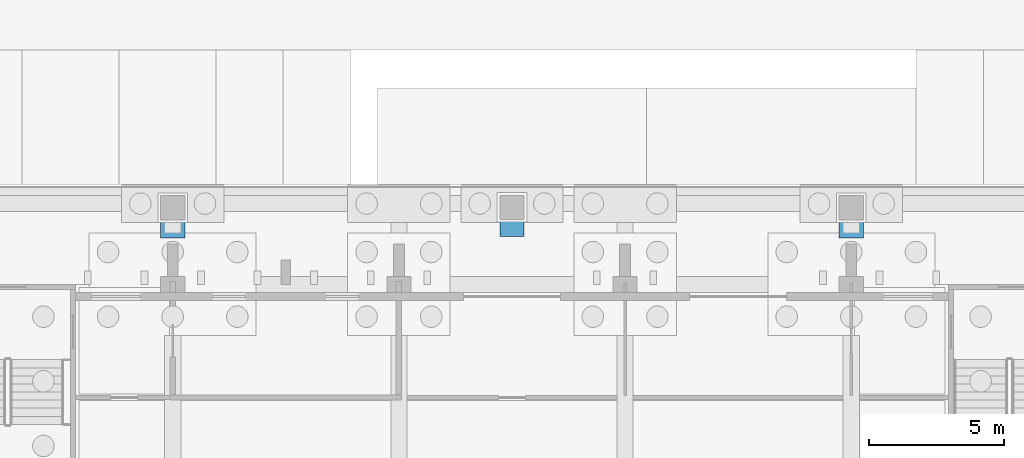
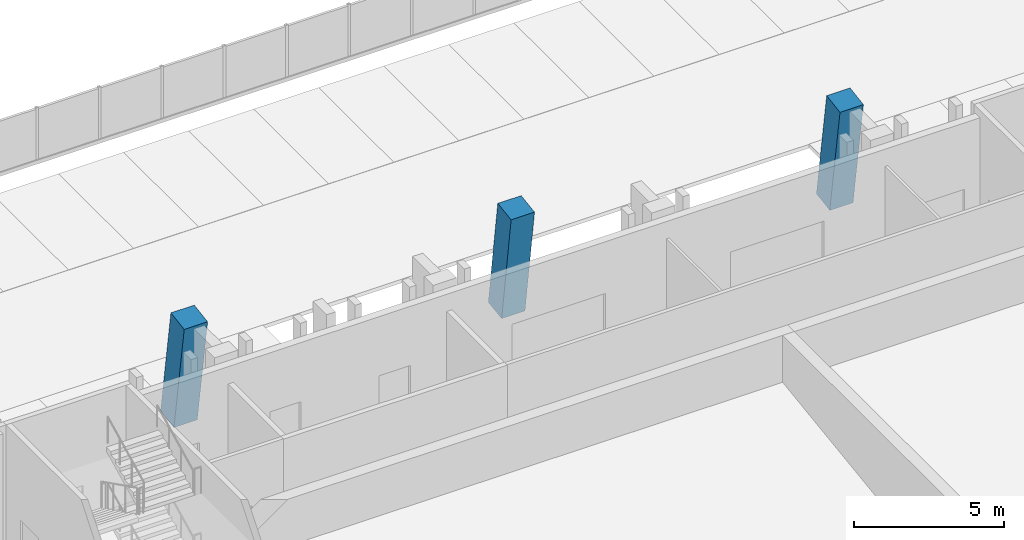
# One storey, part 25 of 129: 3 members.
"""IFC4 building model written with IfcOpenShell, lengths in metres."""

import ifcopenshell
import ifcopenshell.guid

model = None  # the IFC model being written
_history = None  # IfcOwnerHistory: only IFC2X3 demands one
_inside = {}  # id of a spatial element -> (the spatial element, [elements in it])
_under = {}  # id of a project, library or spatial element -> (it, [spatial elements below it])
_declared = {}  # id of a project -> (the project, [libraries it declares])
_typed = {}  # id of a type object -> (the type object, [elements of that type])
_made_of = {}  # id of a material, layer set ... -> (it, [elements and type objects made of it])


def new_model(schema):
    """Start an empty IFC model of exactly this schema.

    Asked for "IFC4X3", IfcOpenShell would pick the latest addendum, in which some entities
    have other attributes; the version numbers below select the first issue.
    IFC2X3 requires an IfcOwnerHistory on every rooted entity: one is made here for all.
    """
    global model, _history
    if schema == "IFC4X3":
        model = ifcopenshell.file(schema_version=(4, 3, 0, 0))
    else:
        model = ifcopenshell.file(schema=schema)
    _inside.clear()
    _under.clear()
    _declared.clear()
    _typed.clear()
    _made_of.clear()
    _history = None
    if model.schema == "IFC2X3":
        org = make("IfcOrganization", Name="unknown")
        user = make(
            "IfcPersonAndOrganization",
            ThePerson=make("IfcPerson", FamilyName="unknown"),
            TheOrganization=org,
        )
        app = make(
            "IfcApplication",
            ApplicationDeveloper=org,
            Version="unknown",
            ApplicationFullName="unknown",
            ApplicationIdentifier="unknown",
        )
        _history = make(
            "IfcOwnerHistory",
            OwningUser=user,
            OwningApplication=app,
            ChangeAction="ADDED",
            CreationDate=0,
        )
    return model


def make(cls, **values):
    """One entity of the class cls with the attributes given. An attribute that is None is left unset."""
    return model.create_entity(
        cls, **{name: value for name, value in values.items() if value is not None}
    )


def rooted(cls, **values):
    """An entity with a GlobalId (a new one), such as an element, a storey or a relation."""
    return make(cls, GlobalId=ifcopenshell.guid.new(), OwnerHistory=_history, **values)


def si_unit(unit_type, name, prefix=None):
    """IfcSIUnit, for example si_unit("LENGTHUNIT", "METRE", prefix="MILLI")."""
    return make("IfcSIUnit", UnitType=unit_type, Prefix=prefix, Name=name)


def assignment(units):
    """IfcUnitAssignment: the units of a project."""
    return None if units is None else make("IfcUnitAssignment", Units=units)


def point(xyz):
    """IfcCartesianPoint."""
    return None if xyz is None else make("IfcCartesianPoint", Coordinates=xyz)


def direction(xyz):
    """IfcDirection."""
    return None if xyz is None else make("IfcDirection", DirectionRatios=xyz)


def frame(location, z_axis=None, x_axis=None):
    """IfcAxis2Placement3D, a coordinate frame: its origin and axes. An axis left out is left unset."""
    return make(
        "IfcAxis2Placement3D",
        Location=point(location),
        Axis=direction(z_axis),
        RefDirection=direction(x_axis),
    )


def frame_2d(location, x_axis=None):
    """IfcAxis2Placement2D, a coordinate frame in the plane: its origin and x axis."""
    return make(
        "IfcAxis2Placement2D", Location=point(location), RefDirection=direction(x_axis)
    )


def origin():
    """The frame at (0, 0, 0) with its axes left unset."""
    return frame((0.0, 0.0, 0.0))


def origin_2d():
    """The frame at (0, 0) in the plane with its x axis left unset."""
    return frame_2d((0.0, 0.0))


def place(relative_to, where):
    """IfcLocalPlacement: puts the frame where relative to a parent placement (None: the world)."""
    return make(
        "IfcLocalPlacement", PlacementRelTo=relative_to, RelativePlacement=where
    )


def context(
    kind, dimensions, precision=None, world=None, true_north=None, identifier=None
):
    """IfcGeometricRepresentationContext, for example the 3D "Model" context."""
    return make(
        "IfcGeometricRepresentationContext",
        ContextIdentifier=identifier,
        ContextType=kind,
        CoordinateSpaceDimension=dimensions,
        Precision=precision,
        WorldCoordinateSystem=world,
        TrueNorth=true_north,
    )


def subcontext(parent, identifier, kind, view, scale=None):
    """IfcGeometricRepresentationSubContext, for example "Body" below "Model"."""
    return make(
        "IfcGeometricRepresentationSubContext",
        ContextIdentifier=identifier,
        ContextType=kind,
        ParentContext=parent,
        TargetScale=scale,
        TargetView=view,
    )


def project(units=None, contexts=None):
    """IfcProject with its units and contexts."""
    return rooted(
        "IfcProject",
        Name="project",
        RepresentationContexts=contexts,
        UnitsInContext=assignment(units),
    )


def spatial(cls, under=None, at=None, **own):
    """A site, building, storey or space (cls), placed at a placement, below another one or the project."""
    s = rooted(cls, ObjectPlacement=at, **own)
    if under is not None:
        _under.setdefault(under.id(), (under, []))[1].append(s)
    return s


def profile(cls, at=None, kind="AREA", **sizes):
    """A parametric profile (cls). Its sizes go by their IFC names, for example OverallWidth=200.0."""
    return make(cls, ProfileType=kind, Position=at, **sizes)


def rectangle(**sizes):
    """IfcRectangleProfileDef."""
    return profile("IfcRectangleProfileDef", **sizes)


def extrude(swept, where, along, depth):
    """IfcExtrudedAreaSolid: the profile swept, set in the frame where, extruded along a direction by depth."""
    return make(
        "IfcExtrudedAreaSolid",
        SweptArea=swept,
        Position=where,
        ExtrudedDirection=direction(along),
        Depth=depth,
    )


def shape(context_of_items, identifier, shape_type, items):
    """IfcShapeRepresentation: the items that make up one representation, for example the "Body"."""
    return make(
        "IfcShapeRepresentation",
        ContextOfItems=context_of_items,
        RepresentationIdentifier=identifier,
        RepresentationType=shape_type,
        Items=items,
    )


def material(Name=None, Category=None):
    """IfcMaterial."""
    return make("IfcMaterial", Name=Name, Category=Category)


def material_profile(
    of_material, cross_section, Name=None, Category=None, Priority=None
):
    """IfcMaterialProfile: a cross section and its material."""
    return make(
        "IfcMaterialProfile",
        Name=Name,
        Material=of_material,
        Profile=cross_section,
        Priority=Priority,
        Category=Category,
    )


def profile_set(profiles, Name=None, composite=None):
    """IfcMaterialProfileSet."""
    return make(
        "IfcMaterialProfileSet",
        Name=Name,
        MaterialProfiles=profiles,
        CompositeProfile=composite,
    )


def made_of(thing, what):
    """Note that an element or type object is made of a material, layer set ...; save() writes the relation."""
    if what is not None:
        _made_of.setdefault(what.id(), (what, []))[1].append(thing)
    return thing


def type_object(cls, material=None, **own):
    """A type object (cls), such as IfcWallType, which elements share."""
    return made_of(rooted(cls, **own), material)


def element(
    cls,
    number,
    at=None,
    inside=None,
    cuts=None,
    type_object=None,
    material=None,
    context=None,
    identifier="Body",
    shape_type=None,
    held_by="IfcProductDefinitionShape",
    body=None,
    shapes=None,
    **own,
):
    """One element of the class cls, such as IfcWall. Its Tag is "e" and its number.

    at: its placement. inside: the storey or other place that contains it. cuts: it is an
    opening in that element (IfcRelVoidsElement). A single representation is given by context,
    identifier, shape_type and body (its items); several are given by shapes. held_by: the class
    of the entity that holds the representations. save() writes the other relations.
    """
    e = rooted(cls, Tag="e%d" % number, ObjectPlacement=at, **own)
    if body is not None:
        shapes = [shape(context, identifier, shape_type, body)]
    if shapes is not None:
        e.Representation = make(held_by, Representations=shapes)
    if inside is not None:
        _inside.setdefault(inside.id(), (inside, []))[1].append(e)
    if cuts is not None:
        rooted(
            "IfcRelVoidsElement", RelatingBuildingElement=cuts, RelatedOpeningElement=e
        )
    if type_object is not None:
        _typed.setdefault(type_object.id(), (type_object, []))[1].append(e)
    return made_of(e, material)


def aggregate(whole, parts):
    """IfcRelAggregates: a whole, such as a stair, and the parts it consists of."""
    return rooted("IfcRelAggregates", RelatingObject=whole, RelatedObjects=parts)


def save(model, path):
    """Write the relations noted so far, then the file.

    IfcRelAggregates (storeys below a building ...), IfcRelContainedInSpatialStructure (elements
    in a storey), IfcRelDefinesByType, IfcRelAssociatesMaterial and IfcRelDeclares: one each for
    every whole, place, type object, material and project.
    """
    for whole, parts in _under.values():
        aggregate(whole, parts)
    for where, things in _inside.values():
        rooted(
            "IfcRelContainedInSpatialStructure",
            RelatedElements=things,
            RelatingStructure=where,
        )
    for kind, things in _typed.values():
        rooted("IfcRelDefinesByType", RelatedObjects=things, RelatingType=kind)
    for what, things in _made_of.values():
        rooted("IfcRelAssociatesMaterial", RelatedObjects=things, RelatingMaterial=what)
    for by, libraries in _declared.values():
        rooted("IfcRelDeclares", RelatingContext=by, RelatedDefinitions=libraries)
    model.write(path)


model = new_model("IFC4")

# Units and contexts
model_context = context("Model", 3, precision=1e-05, world=origin(), true_north=direction((0.0, 1.0)))
body_context = subcontext(model_context, "Body", "Model", "MODEL_VIEW")
ifc_project = project(units=[si_unit("LENGTHUNIT", "METRE"), si_unit("AREAUNIT", "SQUARE_METRE"), si_unit("VOLUMEUNIT", "CUBIC_METRE"), si_unit("PLANEANGLEUNIT", "RADIAN"), si_unit("MASSUNIT", "GRAM", prefix="KILO")], contexts=[model_context])

# Site, building, storey
site_placement = place(None, origin())
site = spatial("IfcSite", under=ifc_project, at=site_placement, CompositionType="ELEMENT")
building_placement = place(site_placement, origin())
building = spatial("IfcBuilding", under=site, at=building_placement, Name="Kiln Court Media Centre", CompositionType="ELEMENT")
storey_placement = place(building_placement, origin())
storey = spatial("IfcBuildingStorey", under=building, at=storey_placement, Name="L00", CompositionType="ELEMENT", Elevation=0.0)

# Members
ifc_material = material(Name="Concrete C40/50", Category="concrete")
ifc_material_profile = material_profile(ifc_material, rectangle(XDim=0.89990234375, YDim=0.89990234375, at=origin_2d()), Name="RC 900x900")
ifc_profile_set = profile_set([ifc_material_profile], Name="Concrete C40/50")
member_type = type_object("IfcMemberType", Name="Concrete C40/50 raked column 900x900", PredefinedType="STRUT", material=ifc_profile_set)
member_1_placement = place(storey_placement, frame((67.199951171875, 70.044189453125, 1.0), z_axis=(0.0, -0.153952054184, 0.98807831927), x_axis=(1.0, 0.0, 0.0)))
element("IfcMember", 1, at=member_1_placement, inside=storey, type_object=member_type, Name="L00-M-1004", PredefinedType="STRUT", context=body_context, shape_type="SweptSolid", body=[
    extrude(rectangle(XDim=0.89990234375, YDim=0.89990234375, at=origin_2d()), origin(), (0.0, 0.0, 1.0), 4.452880859375),
])
member_2_placement = place(storey_placement, frame((79.800048828125, 70.056640625, 1.0), z_axis=(0.0, -0.141928854143, 0.989876861211), x_axis=(1.0, 0.0, 0.0)))
element("IfcMember", 2, at=member_2_placement, inside=storey, type_object=member_type, Name="L00-M-1005", PredefinedType="STRUT", context=body_context, shape_type="SweptSolid", body=[
    extrude(rectangle(XDim=0.89990234375, YDim=0.89990234375, at=origin_2d()), origin(), (0.0, 0.0, 1.0), 4.44482421875),
])
member_3_placement = place(storey_placement, frame((92.39990234375, 70.044189453125, 1.0), z_axis=(0.0, -0.153952054184, 0.98807831927), x_axis=(1.0, 0.0, 0.0)))
element("IfcMember", 3, at=member_3_placement, inside=storey, type_object=member_type, Name="L00-M-1006", PredefinedType="STRUT", context=body_context, shape_type="SweptSolid", body=[
    extrude(rectangle(XDim=0.89990234375, YDim=0.89990234375, at=origin_2d()), origin(), (0.0, 0.0, 1.0), 4.452880859375),
])

save(model, "model.ifc")
